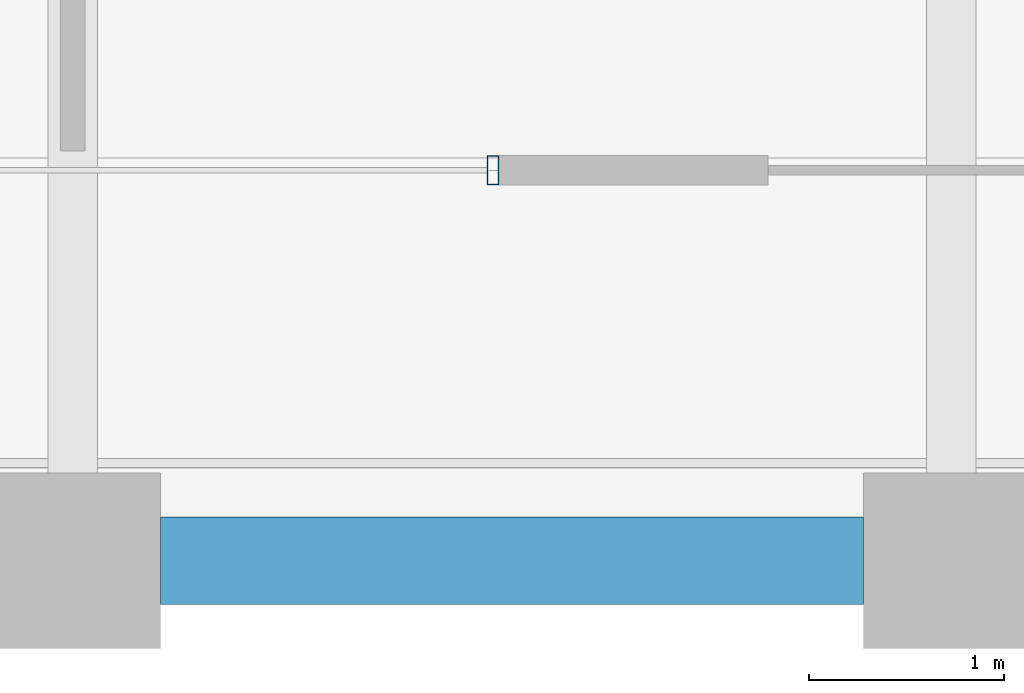
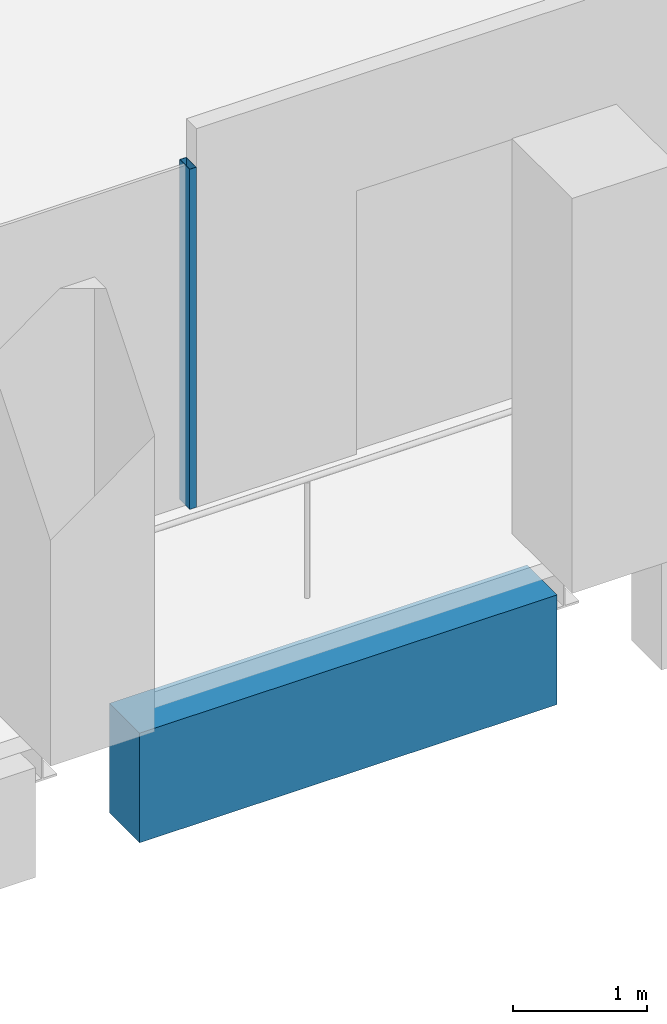
# One storey, part 7 of 40: 1 beam, 1 member, 1 element without a shape of its own.
"""IFC4 building model written with IfcOpenShell, lengths in metres."""

from ifc_helpers import new_model, si_unit, direction, frame, origin, origin_2d, place, context, subcontext, project, spatial, rectangle, hollow_rectangle, extrude, material, material_profile, profile_set, type_object, element, aggregate, save


model = new_model("IFC4")

# Units and contexts
model_context = context("Model", 3, precision=1e-05, world=origin(), true_north=direction((0.0, 1.0)))
body_context = subcontext(model_context, "Body", "Model", "MODEL_VIEW")
ifc_project = project(units=[si_unit("LENGTHUNIT", "METRE"), si_unit("AREAUNIT", "SQUARE_METRE"), si_unit("VOLUMEUNIT", "CUBIC_METRE"), si_unit("PLANEANGLEUNIT", "RADIAN"), si_unit("MASSUNIT", "GRAM", prefix="KILO")], contexts=[model_context])

# Site, building, storey
site_placement = place(None, origin())
site = spatial("IfcSite", under=ifc_project, at=site_placement, CompositionType="ELEMENT")
building_placement = place(site_placement, origin())
building = spatial("IfcBuilding", under=site, at=building_placement, Name="Altepetl Exchange Towers", CompositionType="ELEMENT")
storey_placement = place(building_placement, frame((0.0, 0.0, 183.39990234375)))
storey = spatial("IfcBuildingStorey", under=building, at=storey_placement, Name="L46", CompositionType="ELEMENT", Elevation=183.39990234375)

# Curtain wall, member
ifc_material_1 = material(Name="Aluminium 6063-T6 glazing", Category="aluminium")
curtain_wall_type = type_object("IfcCurtainWallType", Name="Loggia glazing system", PredefinedType="NOTDEFINED", material=ifc_material_1)
curtain_wall_placement = place(storey_placement, origin())
curtain_wall = element("IfcCurtainWall", 1, at=curtain_wall_placement, inside=storey, type_object=curtain_wall_type, Name="CW1 run", PredefinedType="NOTDEFINED")
ifc_material_2 = material(Name="Aluminium 6063-T6", Category="aluminium")
ifc_material_profile_1 = material_profile(ifc_material_2, hollow_rectangle(XDim=0.06005859375, YDim=0.14990234375, WallThickness=0.0029296875, at=origin_2d()), Name="Mullion 60x150 aluminium")
ifc_profile_set_1 = profile_set([ifc_material_profile_1], Name="Aluminium 6063-T6")
member_type = type_object("IfcMemberType", Name="Mullion 60x150 aluminium", PredefinedType="MULLION", material=ifc_profile_set_1)
member_placement = place(storey_placement, frame((47.152099609375, 29.0, 0.0)))
member = element("IfcMember", 2, at=member_placement, type_object=member_type, Name="MU1 mullion", PredefinedType="MULLION", context=body_context, shape_type="SweptSolid", body=[
    extrude(hollow_rectangle(XDim=0.06005859375, YDim=0.14990234375, WallThickness=0.0029296875, at=origin_2d()), origin(), (0.0, 0.0, 1.0), 3.10009765625),
])
aggregate(curtain_wall, [member])

# Beam
ifc_material_3 = material(Name="Concrete C50/60 precast with cantera blanca facing", Category="concrete")
ifc_material_profile_2 = material_profile(ifc_material_3, rectangle(XDim=0.449951171875, YDim=1.0, at=origin_2d()), Name="450 x 1000")
ifc_profile_set_2 = profile_set([ifc_material_profile_2], Name="Concrete C50/60 precast with cantera blanca facing")
beam_type = type_object("IfcBeamType", Name="Spandrel beam 450x1000 cantera blanca", PredefinedType="SPANDREL", material=ifc_profile_set_2)
beam_placement = place(storey_placement, frame((45.449951171875, 27.0, -0.64990234375), z_axis=(1.0, 0.0, 0.0), x_axis=(0.0, 1.0, 0.0)))
element("IfcBeam", 3, at=beam_placement, inside=storey, type_object=beam_type, Name="sp:A:L46:003", PredefinedType="SPANDREL", context=body_context, shape_type="SweptSolid", body=[
    extrude(rectangle(XDim=0.449951171875, YDim=1.0, at=origin_2d()), origin(), (0.0, 0.0, 1.0), 3.60009765625),
])

save(model, "model.ifc")
